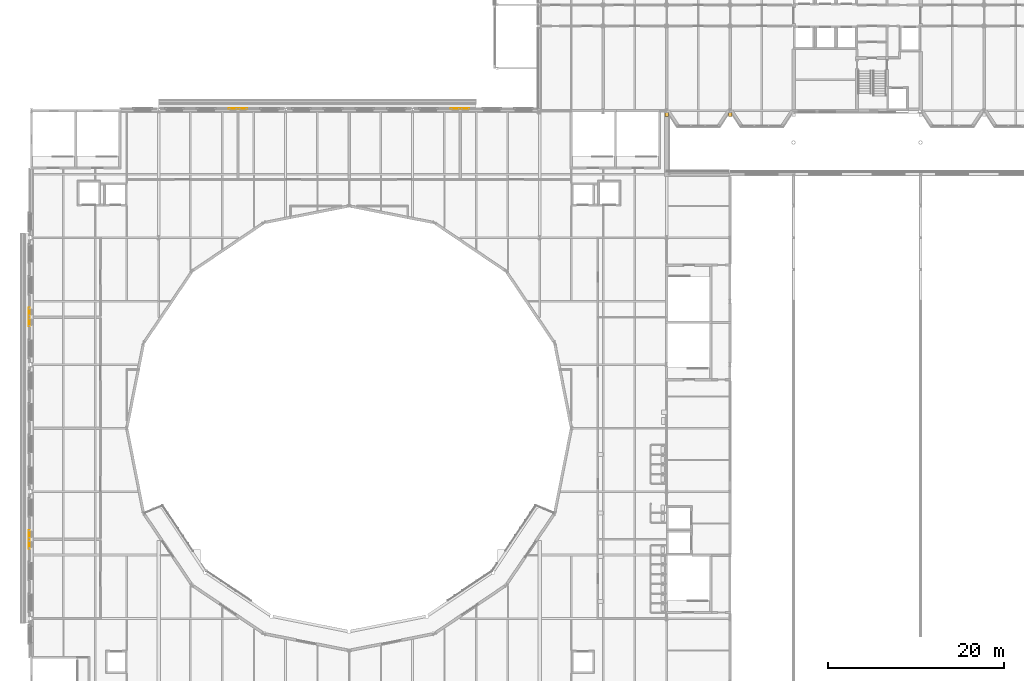
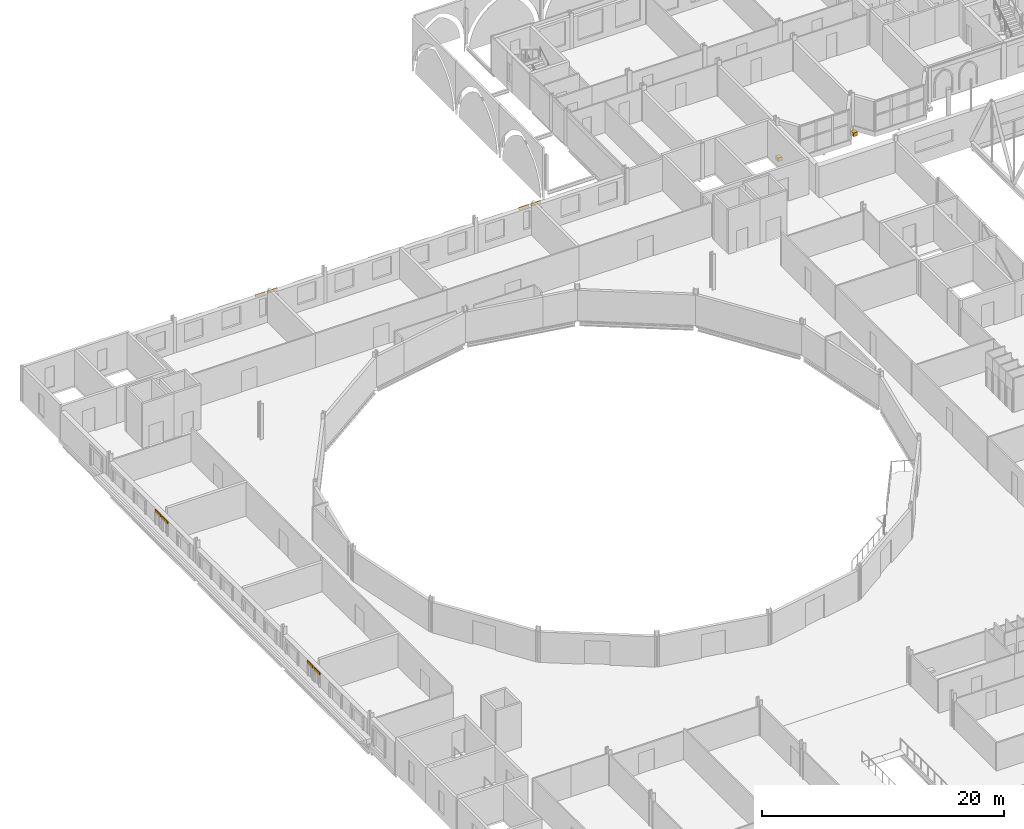
# One storey, part 140 of 142: 10 coverings.
"""IFC4 building model written with IfcOpenShell, lengths in metres."""

import ifcopenshell
import ifcopenshell.guid

model = None  # the IFC model being written
_history = None  # IfcOwnerHistory: only IFC2X3 demands one
_inside = {}  # id of a spatial element -> (the spatial element, [elements in it])
_under = {}  # id of a project, library or spatial element -> (it, [spatial elements below it])
_declared = {}  # id of a project -> (the project, [libraries it declares])
_typed = {}  # id of a type object -> (the type object, [elements of that type])
_made_of = {}  # id of a material, layer set ... -> (it, [elements and type objects made of it])


def new_model(schema):
    """Start an empty IFC model of exactly this schema.

    Asked for "IFC4X3", IfcOpenShell would pick the latest addendum, in which some entities
    have other attributes; the version numbers below select the first issue.
    IFC2X3 requires an IfcOwnerHistory on every rooted entity: one is made here for all.
    """
    global model, _history
    if schema == "IFC4X3":
        model = ifcopenshell.file(schema_version=(4, 3, 0, 0))
    else:
        model = ifcopenshell.file(schema=schema)
    _inside.clear()
    _under.clear()
    _declared.clear()
    _typed.clear()
    _made_of.clear()
    _history = None
    if model.schema == "IFC2X3":
        org = make("IfcOrganization", Name="unknown")
        user = make(
            "IfcPersonAndOrganization",
            ThePerson=make("IfcPerson", FamilyName="unknown"),
            TheOrganization=org,
        )
        app = make(
            "IfcApplication",
            ApplicationDeveloper=org,
            Version="unknown",
            ApplicationFullName="unknown",
            ApplicationIdentifier="unknown",
        )
        _history = make(
            "IfcOwnerHistory",
            OwningUser=user,
            OwningApplication=app,
            ChangeAction="ADDED",
            CreationDate=0,
        )
    return model


def make(cls, **values):
    """One entity of the class cls with the attributes given. An attribute that is None is left unset."""
    return model.create_entity(
        cls, **{name: value for name, value in values.items() if value is not None}
    )


def rooted(cls, **values):
    """An entity with a GlobalId (a new one), such as an element, a storey or a relation."""
    return make(cls, GlobalId=ifcopenshell.guid.new(), OwnerHistory=_history, **values)


def si_unit(unit_type, name, prefix=None):
    """IfcSIUnit, for example si_unit("LENGTHUNIT", "METRE", prefix="MILLI")."""
    return make("IfcSIUnit", UnitType=unit_type, Prefix=prefix, Name=name)


def assignment(units):
    """IfcUnitAssignment: the units of a project."""
    return None if units is None else make("IfcUnitAssignment", Units=units)


def point(xyz):
    """IfcCartesianPoint."""
    return None if xyz is None else make("IfcCartesianPoint", Coordinates=xyz)


def direction(xyz):
    """IfcDirection."""
    return None if xyz is None else make("IfcDirection", DirectionRatios=xyz)


def frame(location, z_axis=None, x_axis=None):
    """IfcAxis2Placement3D, a coordinate frame: its origin and axes. An axis left out is left unset."""
    return make(
        "IfcAxis2Placement3D",
        Location=point(location),
        Axis=direction(z_axis),
        RefDirection=direction(x_axis),
    )


def frame_2d(location, x_axis=None):
    """IfcAxis2Placement2D, a coordinate frame in the plane: its origin and x axis."""
    return make(
        "IfcAxis2Placement2D", Location=point(location), RefDirection=direction(x_axis)
    )


def origin():
    """The frame at (0, 0, 0) with its axes left unset."""
    return frame((0.0, 0.0, 0.0))


def origin_2d():
    """The frame at (0, 0) in the plane with its x axis left unset."""
    return frame_2d((0.0, 0.0))


def place(relative_to, where):
    """IfcLocalPlacement: puts the frame where relative to a parent placement (None: the world)."""
    return make(
        "IfcLocalPlacement", PlacementRelTo=relative_to, RelativePlacement=where
    )


def context(
    kind, dimensions, precision=None, world=None, true_north=None, identifier=None
):
    """IfcGeometricRepresentationContext, for example the 3D "Model" context."""
    return make(
        "IfcGeometricRepresentationContext",
        ContextIdentifier=identifier,
        ContextType=kind,
        CoordinateSpaceDimension=dimensions,
        Precision=precision,
        WorldCoordinateSystem=world,
        TrueNorth=true_north,
    )


def subcontext(parent, identifier, kind, view, scale=None):
    """IfcGeometricRepresentationSubContext, for example "Body" below "Model"."""
    return make(
        "IfcGeometricRepresentationSubContext",
        ContextIdentifier=identifier,
        ContextType=kind,
        ParentContext=parent,
        TargetScale=scale,
        TargetView=view,
    )


def project(units=None, contexts=None):
    """IfcProject with its units and contexts."""
    return rooted(
        "IfcProject",
        Name="project",
        RepresentationContexts=contexts,
        UnitsInContext=assignment(units),
    )


def spatial(cls, under=None, at=None, **own):
    """A site, building, storey or space (cls), placed at a placement, below another one or the project."""
    s = rooted(cls, ObjectPlacement=at, **own)
    if under is not None:
        _under.setdefault(under.id(), (under, []))[1].append(s)
    return s


def profile(cls, at=None, kind="AREA", **sizes):
    """A parametric profile (cls). Its sizes go by their IFC names, for example OverallWidth=200.0."""
    return make(cls, ProfileType=kind, Position=at, **sizes)


def rectangle(**sizes):
    """IfcRectangleProfileDef."""
    return profile("IfcRectangleProfileDef", **sizes)


def extrude(swept, where, along, depth):
    """IfcExtrudedAreaSolid: the profile swept, set in the frame where, extruded along a direction by depth."""
    return make(
        "IfcExtrudedAreaSolid",
        SweptArea=swept,
        Position=where,
        ExtrudedDirection=direction(along),
        Depth=depth,
    )


def shape(context_of_items, identifier, shape_type, items):
    """IfcShapeRepresentation: the items that make up one representation, for example the "Body"."""
    return make(
        "IfcShapeRepresentation",
        ContextOfItems=context_of_items,
        RepresentationIdentifier=identifier,
        RepresentationType=shape_type,
        Items=items,
    )


def material(Name=None, Category=None):
    """IfcMaterial."""
    return make("IfcMaterial", Name=Name, Category=Category)


def layer(
    of_material, thickness, ventilated=None, Name=None, Category=None, Priority=None
):
    """IfcMaterialLayer: one layer of a wall or slab, of a material (None: an air gap)."""
    return make(
        "IfcMaterialLayer",
        Material=of_material,
        LayerThickness=thickness,
        IsVentilated=ventilated,
        Name=Name,
        Category=Category,
        Priority=Priority,
    )


def layer_set(layers, Name=None):
    """IfcMaterialLayerSet."""
    return make("IfcMaterialLayerSet", MaterialLayers=layers, LayerSetName=Name)


def made_of(thing, what):
    """Note that an element or type object is made of a material, layer set ...; save() writes the relation."""
    if what is not None:
        _made_of.setdefault(what.id(), (what, []))[1].append(thing)
    return thing


def type_object(cls, material=None, **own):
    """A type object (cls), such as IfcWallType, which elements share."""
    return made_of(rooted(cls, **own), material)


def element(
    cls,
    number,
    at=None,
    inside=None,
    cuts=None,
    type_object=None,
    material=None,
    context=None,
    identifier="Body",
    shape_type=None,
    held_by="IfcProductDefinitionShape",
    body=None,
    shapes=None,
    **own,
):
    """One element of the class cls, such as IfcWall. Its Tag is "e" and its number.

    at: its placement. inside: the storey or other place that contains it. cuts: it is an
    opening in that element (IfcRelVoidsElement). A single representation is given by context,
    identifier, shape_type and body (its items); several are given by shapes. held_by: the class
    of the entity that holds the representations. save() writes the other relations.
    """
    e = rooted(cls, Tag="e%d" % number, ObjectPlacement=at, **own)
    if body is not None:
        shapes = [shape(context, identifier, shape_type, body)]
    if shapes is not None:
        e.Representation = make(held_by, Representations=shapes)
    if inside is not None:
        _inside.setdefault(inside.id(), (inside, []))[1].append(e)
    if cuts is not None:
        rooted(
            "IfcRelVoidsElement", RelatingBuildingElement=cuts, RelatedOpeningElement=e
        )
    if type_object is not None:
        _typed.setdefault(type_object.id(), (type_object, []))[1].append(e)
    return made_of(e, material)


def aggregate(whole, parts):
    """IfcRelAggregates: a whole, such as a stair, and the parts it consists of."""
    return rooted("IfcRelAggregates", RelatingObject=whole, RelatedObjects=parts)


def save(model, path):
    """Write the relations noted so far, then the file.

    IfcRelAggregates (storeys below a building ...), IfcRelContainedInSpatialStructure (elements
    in a storey), IfcRelDefinesByType, IfcRelAssociatesMaterial and IfcRelDeclares: one each for
    every whole, place, type object, material and project.
    """
    for whole, parts in _under.values():
        aggregate(whole, parts)
    for where, things in _inside.values():
        rooted(
            "IfcRelContainedInSpatialStructure",
            RelatedElements=things,
            RelatingStructure=where,
        )
    for kind, things in _typed.values():
        rooted("IfcRelDefinesByType", RelatedObjects=things, RelatingType=kind)
    for what, things in _made_of.values():
        rooted("IfcRelAssociatesMaterial", RelatedObjects=things, RelatingMaterial=what)
    for by, libraries in _declared.values():
        rooted("IfcRelDeclares", RelatingContext=by, RelatedDefinitions=libraries)
    model.write(path)


model = new_model("IFC4")

# Units and contexts
model_context = context("Model", 3, precision=1e-05, world=origin(), true_north=direction((0.0, 1.0)))
body_context = subcontext(model_context, "Body", "Model", "MODEL_VIEW")
ifc_project = project(units=[si_unit("LENGTHUNIT", "METRE"), si_unit("AREAUNIT", "SQUARE_METRE"), si_unit("VOLUMEUNIT", "CUBIC_METRE"), si_unit("PLANEANGLEUNIT", "RADIAN"), si_unit("MASSUNIT", "GRAM", prefix="KILO")], contexts=[model_context])

# Site, building, storey
site_placement = place(None, origin())
site = spatial("IfcSite", under=ifc_project, at=site_placement, CompositionType="ELEMENT")
building_placement = place(site_placement, origin())
building = spatial("IfcBuilding", under=site, at=building_placement, Name="Kupolbacken Congress Centre", CompositionType="ELEMENT")
storey_placement = place(building_placement, frame((0.0, 0.0, 14.39990234375)))
storey = spatial("IfcBuildingStorey", under=building, at=storey_placement, Name="L04", CompositionType="ELEMENT", Elevation=14.39990234375)

# Coverings
ifc_material = material(Name="Limestone cladding", Category="masonry")
ifc_layer = layer(ifc_material, 0.1201171875)
ifc_layer_set = layer_set([ifc_layer], Name="Limestone cladding")
covering_type = type_object("IfcCoveringType", Name="CV1 limestone cladding band 120", PredefinedType="CLADDING", material=ifc_layer_set)
for number, where, z_axis, x_axis, name in (
    (1, (56.375, 122.659912109375, 2.550048828125), (0.0, 0.0, 1.0), (-1.0, 0.0, 0.0), "E/P/N/L04/443/W2/hd"),
    (2, (55.22509765625, 122.659912109375, 2.550048828125), (0.0, 0.0, 1.0), (-1.0, 0.0, 0.0), "E/P/N/L04/443/W3/hd"),
    (3, (31.175048828125, 122.659912109375, 2.550048828125), (0.0, 0.0, 1.0), (-1.0, 0.0, 0.0), "E/P/N/L04/445/W3/hd"),
    (4, (30.02490234375, 122.659912109375, 2.550048828125), (0.0, 0.0, 1.0), (-1.0, 0.0, 0.0), "E/P/N/L04/445/W4/hd"),
    (5, (6.93994140625, 99.574951171875, 2.550048828125), (0.0, 0.0, 1.0), (0.0, -1.0, 0.0), "E/P/W/L04/451/W2/hd"),
    (6, (6.93994140625, 98.425048828125, 2.550048828125), (0.0, 0.0, 1.0), (0.0, -1.0, 0.0), "E/P/W/L04/451/W3/hd"),
    (7, (6.93994140625, 74.375, 2.550048828125), (0.0, 0.0, 1.0), (0.0, -1.0, 0.0), "E/P/W/L04/453/W3/hd"),
    (8, (6.93994140625, 73.22509765625, 2.550048828125), (0.0, 0.0, 1.0), (0.0, -1.0, 0.0), "E/P/W/L04/453/W4/hd"),
):
    element("IfcCovering", number, at=place(storey_placement, frame(where, z_axis=z_axis, x_axis=x_axis)), inside=storey, type_object=covering_type, Name=name, PredefinedType="CLADDING", context=body_context, shape_type="SweptSolid", body=[
        extrude(rectangle(XDim=0.949951171875, YDim=0.080078125, at=origin_2d()), origin(), (0.0, 0.0, 1.0), 0.25),
    ])
for number, where, z_axis, x_axis, name in (
    (9, (79.199951171875, 121.958984375, -0.5), (0.0, 0.0, 1.0), (1.0, 0.0, 0.0), "E/T/bracket/L04/S/79.2/L"),
    (10, (86.39990234375, 121.958984375, -0.5), (0.0, 0.0, 1.0), (1.0, 0.0, 0.0), "E/T/bracket/L04/S/79.2/R"),
):
    element("IfcCovering", number, at=place(storey_placement, frame(where, z_axis=z_axis, x_axis=x_axis)), inside=storey, type_object=covering_type, Name=name, PredefinedType="CLADDING", context=body_context, shape_type="SweptSolid", body=[
        extrude(rectangle(XDim=0.39990234375, YDim=0.449951171875, at=origin_2d()), origin(), (0.0, 0.0, 1.0), 0.360107421875),
    ])

save(model, "model.ifc")
